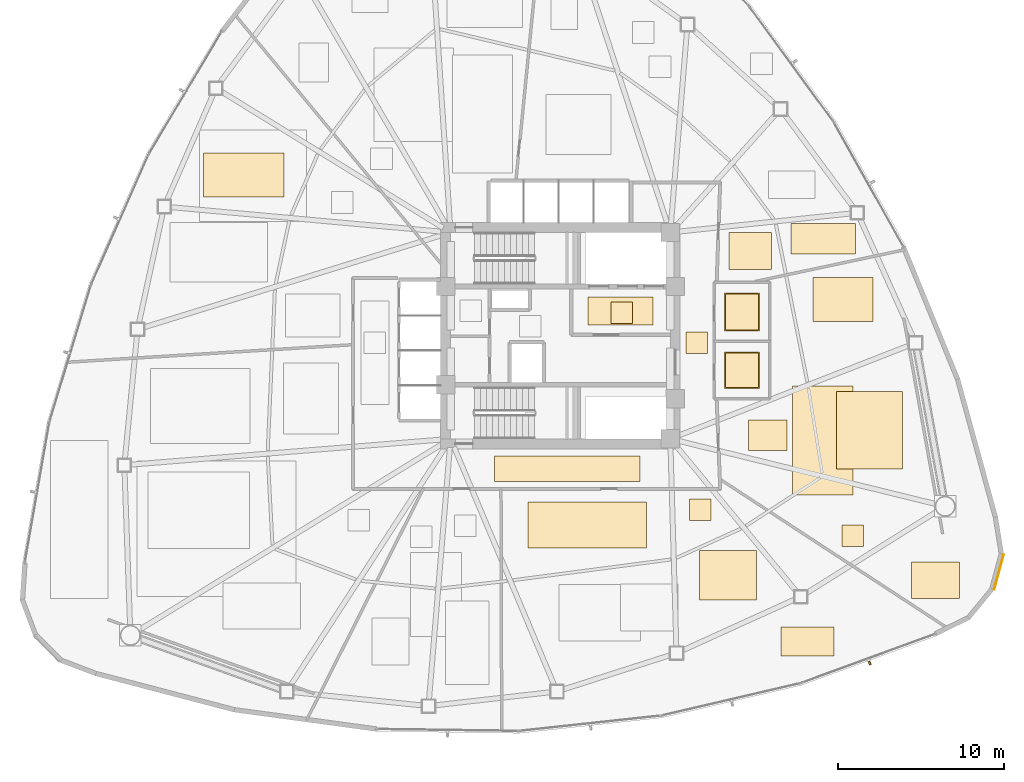
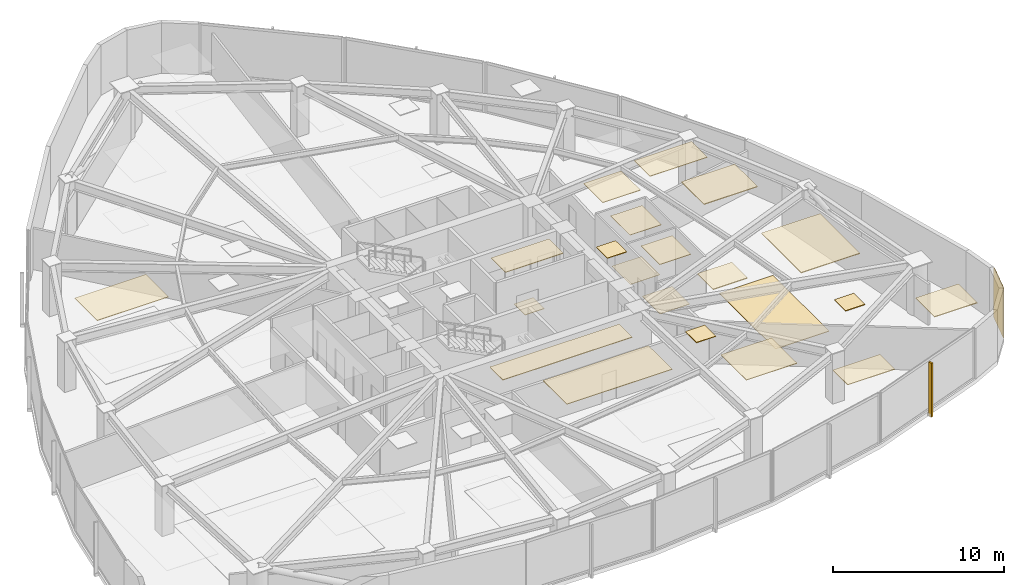
# One storey, part 15 of 16: 22 coverings, 1 shading device.
"""IFC4 building model written with IfcOpenShell, lengths in metres."""

import ifcopenshell
import ifcopenshell.guid

model = None  # the IFC model being written
_history = None  # IfcOwnerHistory: only IFC2X3 demands one
_inside = {}  # id of a spatial element -> (the spatial element, [elements in it])
_under = {}  # id of a project, library or spatial element -> (it, [spatial elements below it])
_declared = {}  # id of a project -> (the project, [libraries it declares])
_typed = {}  # id of a type object -> (the type object, [elements of that type])
_made_of = {}  # id of a material, layer set ... -> (it, [elements and type objects made of it])


def new_model(schema):
    """Start an empty IFC model of exactly this schema.

    Asked for "IFC4X3", IfcOpenShell would pick the latest addendum, in which some entities
    have other attributes; the version numbers below select the first issue.
    IFC2X3 requires an IfcOwnerHistory on every rooted entity: one is made here for all.
    """
    global model, _history
    if schema == "IFC4X3":
        model = ifcopenshell.file(schema_version=(4, 3, 0, 0))
    else:
        model = ifcopenshell.file(schema=schema)
    _inside.clear()
    _under.clear()
    _declared.clear()
    _typed.clear()
    _made_of.clear()
    _history = None
    if model.schema == "IFC2X3":
        org = make("IfcOrganization", Name="unknown")
        user = make(
            "IfcPersonAndOrganization",
            ThePerson=make("IfcPerson", FamilyName="unknown"),
            TheOrganization=org,
        )
        app = make(
            "IfcApplication",
            ApplicationDeveloper=org,
            Version="unknown",
            ApplicationFullName="unknown",
            ApplicationIdentifier="unknown",
        )
        _history = make(
            "IfcOwnerHistory",
            OwningUser=user,
            OwningApplication=app,
            ChangeAction="ADDED",
            CreationDate=0,
        )
    return model


def make(cls, **values):
    """One entity of the class cls with the attributes given. An attribute that is None is left unset."""
    return model.create_entity(
        cls, **{name: value for name, value in values.items() if value is not None}
    )


def rooted(cls, **values):
    """An entity with a GlobalId (a new one), such as an element, a storey or a relation."""
    return make(cls, GlobalId=ifcopenshell.guid.new(), OwnerHistory=_history, **values)


def si_unit(unit_type, name, prefix=None):
    """IfcSIUnit, for example si_unit("LENGTHUNIT", "METRE", prefix="MILLI")."""
    return make("IfcSIUnit", UnitType=unit_type, Prefix=prefix, Name=name)


def assignment(units):
    """IfcUnitAssignment: the units of a project."""
    return None if units is None else make("IfcUnitAssignment", Units=units)


def point(xyz):
    """IfcCartesianPoint."""
    return None if xyz is None else make("IfcCartesianPoint", Coordinates=xyz)


def direction(xyz):
    """IfcDirection."""
    return None if xyz is None else make("IfcDirection", DirectionRatios=xyz)


def frame(location, z_axis=None, x_axis=None):
    """IfcAxis2Placement3D, a coordinate frame: its origin and axes. An axis left out is left unset."""
    return make(
        "IfcAxis2Placement3D",
        Location=point(location),
        Axis=direction(z_axis),
        RefDirection=direction(x_axis),
    )


def frame_2d(location, x_axis=None):
    """IfcAxis2Placement2D, a coordinate frame in the plane: its origin and x axis."""
    return make(
        "IfcAxis2Placement2D", Location=point(location), RefDirection=direction(x_axis)
    )


def origin():
    """The frame at (0, 0, 0) with its axes left unset."""
    return frame((0.0, 0.0, 0.0))


def origin_2d():
    """The frame at (0, 0) in the plane with its x axis left unset."""
    return frame_2d((0.0, 0.0))


def place(relative_to, where):
    """IfcLocalPlacement: puts the frame where relative to a parent placement (None: the world)."""
    return make(
        "IfcLocalPlacement", PlacementRelTo=relative_to, RelativePlacement=where
    )


def context(
    kind, dimensions, precision=None, world=None, true_north=None, identifier=None
):
    """IfcGeometricRepresentationContext, for example the 3D "Model" context."""
    return make(
        "IfcGeometricRepresentationContext",
        ContextIdentifier=identifier,
        ContextType=kind,
        CoordinateSpaceDimension=dimensions,
        Precision=precision,
        WorldCoordinateSystem=world,
        TrueNorth=true_north,
    )


def subcontext(parent, identifier, kind, view, scale=None):
    """IfcGeometricRepresentationSubContext, for example "Body" below "Model"."""
    return make(
        "IfcGeometricRepresentationSubContext",
        ContextIdentifier=identifier,
        ContextType=kind,
        ParentContext=parent,
        TargetScale=scale,
        TargetView=view,
    )


def project(units=None, contexts=None):
    """IfcProject with its units and contexts."""
    return rooted(
        "IfcProject",
        Name="project",
        RepresentationContexts=contexts,
        UnitsInContext=assignment(units),
    )


def spatial(cls, under=None, at=None, **own):
    """A site, building, storey or space (cls), placed at a placement, below another one or the project."""
    s = rooted(cls, ObjectPlacement=at, **own)
    if under is not None:
        _under.setdefault(under.id(), (under, []))[1].append(s)
    return s


def polyline(points):
    """IfcPolyline through the points."""
    return make("IfcPolyline", Points=[point(p) for p in points])


def profile(cls, at=None, kind="AREA", **sizes):
    """A parametric profile (cls). Its sizes go by their IFC names, for example OverallWidth=200.0."""
    return make(cls, ProfileType=kind, Position=at, **sizes)


def rectangle(**sizes):
    """IfcRectangleProfileDef."""
    return profile("IfcRectangleProfileDef", **sizes)


def outline(outer, holes=None, kind="AREA"):
    """IfcArbitraryClosedProfileDef: a profile drawn as a closed curve; with holes, ...WithVoids."""
    if holes is None:
        return make("IfcArbitraryClosedProfileDef", ProfileType=kind, OuterCurve=outer)
    return make(
        "IfcArbitraryProfileDefWithVoids",
        ProfileType=kind,
        OuterCurve=outer,
        InnerCurves=holes,
    )


def extrude(swept, where, along, depth):
    """IfcExtrudedAreaSolid: the profile swept, set in the frame where, extruded along a direction by depth."""
    return make(
        "IfcExtrudedAreaSolid",
        SweptArea=swept,
        Position=where,
        ExtrudedDirection=direction(along),
        Depth=depth,
    )


def shape(context_of_items, identifier, shape_type, items):
    """IfcShapeRepresentation: the items that make up one representation, for example the "Body"."""
    return make(
        "IfcShapeRepresentation",
        ContextOfItems=context_of_items,
        RepresentationIdentifier=identifier,
        RepresentationType=shape_type,
        Items=items,
    )


def source(mapping_origin, context_of_items, identifier, shape_type, items):
    """IfcRepresentationMap: a shape defined once, which mapped items show again and again."""
    return make(
        "IfcRepresentationMap",
        MappingOrigin=mapping_origin,
        MappedRepresentation=shape(context_of_items, identifier, shape_type, items),
    )


def transform(
    local_origin,
    x_axis=None,
    y_axis=None,
    z_axis=None,
    scale=None,
    scale2=None,
    scale3=None,
    uniform=True,
):
    """IfcCartesianTransformationOperator3D, or its non-uniform kind. x_axis, y_axis, z_axis: its Axis1, 2, 3."""
    if uniform:
        return make(
            "IfcCartesianTransformationOperator3D",
            Axis1=direction(x_axis),
            Axis2=direction(y_axis),
            LocalOrigin=point(local_origin),
            Scale=scale,
            Axis3=direction(z_axis),
        )
    return make(
        "IfcCartesianTransformationOperator3DnonUniform",
        Axis1=direction(x_axis),
        Axis2=direction(y_axis),
        LocalOrigin=point(local_origin),
        Scale=scale,
        Axis3=direction(z_axis),
        Scale2=scale2,
        Scale3=scale3,
    )


def mapped(mapping_source, mapping_target):
    """IfcMappedItem: shows the shape of a source again, moved by a transform."""
    return make(
        "IfcMappedItem", MappingSource=mapping_source, MappingTarget=mapping_target
    )


def material(Name=None, Category=None):
    """IfcMaterial."""
    return make("IfcMaterial", Name=Name, Category=Category)


def layer(
    of_material, thickness, ventilated=None, Name=None, Category=None, Priority=None
):
    """IfcMaterialLayer: one layer of a wall or slab, of a material (None: an air gap)."""
    return make(
        "IfcMaterialLayer",
        Material=of_material,
        LayerThickness=thickness,
        IsVentilated=ventilated,
        Name=Name,
        Category=Category,
        Priority=Priority,
    )


def layer_set(layers, Name=None):
    """IfcMaterialLayerSet."""
    return make("IfcMaterialLayerSet", MaterialLayers=layers, LayerSetName=Name)


def made_of(thing, what):
    """Note that an element or type object is made of a material, layer set ...; save() writes the relation."""
    if what is not None:
        _made_of.setdefault(what.id(), (what, []))[1].append(thing)
    return thing


def type_object(cls, material=None, **own):
    """A type object (cls), such as IfcWallType, which elements share."""
    return made_of(rooted(cls, **own), material)


def type_shapes(of_type, sources):
    """Give a type object the sources (RepresentationMaps) that its elements show as mapped items."""
    of_type.RepresentationMaps = sources


def element(
    cls,
    number,
    at=None,
    inside=None,
    cuts=None,
    type_object=None,
    material=None,
    context=None,
    identifier="Body",
    shape_type=None,
    held_by="IfcProductDefinitionShape",
    body=None,
    shapes=None,
    **own,
):
    """One element of the class cls, such as IfcWall. Its Tag is "e" and its number.

    at: its placement. inside: the storey or other place that contains it. cuts: it is an
    opening in that element (IfcRelVoidsElement). A single representation is given by context,
    identifier, shape_type and body (its items); several are given by shapes. held_by: the class
    of the entity that holds the representations. save() writes the other relations.
    """
    e = rooted(cls, Tag="e%d" % number, ObjectPlacement=at, **own)
    if body is not None:
        shapes = [shape(context, identifier, shape_type, body)]
    if shapes is not None:
        e.Representation = make(held_by, Representations=shapes)
    if inside is not None:
        _inside.setdefault(inside.id(), (inside, []))[1].append(e)
    if cuts is not None:
        rooted(
            "IfcRelVoidsElement", RelatingBuildingElement=cuts, RelatedOpeningElement=e
        )
    if type_object is not None:
        _typed.setdefault(type_object.id(), (type_object, []))[1].append(e)
    return made_of(e, material)


def aggregate(whole, parts):
    """IfcRelAggregates: a whole, such as a stair, and the parts it consists of."""
    return rooted("IfcRelAggregates", RelatingObject=whole, RelatedObjects=parts)


def save(model, path):
    """Write the relations noted so far, then the file.

    IfcRelAggregates (storeys below a building ...), IfcRelContainedInSpatialStructure (elements
    in a storey), IfcRelDefinesByType, IfcRelAssociatesMaterial and IfcRelDeclares: one each for
    every whole, place, type object, material and project.
    """
    for whole, parts in _under.values():
        aggregate(whole, parts)
    for where, things in _inside.values():
        rooted(
            "IfcRelContainedInSpatialStructure",
            RelatedElements=things,
            RelatingStructure=where,
        )
    for kind, things in _typed.values():
        rooted("IfcRelDefinesByType", RelatedObjects=things, RelatingType=kind)
    for what, things in _made_of.values():
        rooted("IfcRelAssociatesMaterial", RelatedObjects=things, RelatingMaterial=what)
    for by, libraries in _declared.values():
        rooted("IfcRelDeclares", RelatingContext=by, RelatedDefinitions=libraries)
    model.write(path)


model = new_model("IFC4")

# Units and contexts
model_context = context("Model", 3, precision=1e-05, world=origin(), true_north=direction((0.0, 1.0)))
body_context = subcontext(model_context, "Body", "Model", "MODEL_VIEW")
ifc_project = project(units=[si_unit("LENGTHUNIT", "METRE"), si_unit("AREAUNIT", "SQUARE_METRE"), si_unit("VOLUMEUNIT", "CUBIC_METRE"), si_unit("PLANEANGLEUNIT", "RADIAN"), si_unit("MASSUNIT", "GRAM", prefix="KILO")], contexts=[model_context])

# Site, building, storey
site_placement = place(None, origin())
site = spatial("IfcSite", under=ifc_project, at=site_placement, CompositionType="ELEMENT")
building_placement = place(site_placement, origin())
building = spatial("IfcBuilding", under=site, at=building_placement, Name="Tavelor Broadcast Tower", CompositionType="ELEMENT")
storey_placement = place(building_placement, frame((0.0, 0.0, 35.39990234375)))
storey = spatial("IfcBuildingStorey", under=building, at=storey_placement, Name="L07", CompositionType="ELEMENT", Elevation=35.39990234375)

# Coverings
ifc_material_1 = material(Name="Copper-Bronze Anodized Aluminium", Category="aluminium")
ifc_layer_1 = layer(ifc_material_1, 0.044921875)
ifc_layer_set_1 = layer_set([ifc_layer_1], Name="Copper-Bronze Anodized Aluminium")
covering_type_1 = type_object("IfcCoveringType", Name="Anodised Bronze Linear Slatted Concourse Ceiling 45 mm", PredefinedType="CEILING", material=ifc_layer_set_1)
covering_1_placement = place(storey_placement, frame((0.0, 0.0, 3.55517578125)))
element("IfcCovering", 1, at=covering_1_placement, inside=storey, type_object=covering_type_1, Name="L07 Suspended Acoustic Ceiling 0206", PredefinedType="CEILING", context=body_context, shape_type="SweptSolid", body=[
    extrude(outline(polyline([(51.659912109375, 45.654296875), (55.55712890625, 45.654296875), (55.55712890625, 47.331787109375), (51.659912109375, 47.331787109375), (51.659912109375, 45.654296875)])), origin(), (0.0, 0.0, 1.0), 0.044921875),
])
covering_2_placement = place(storey_placement, frame((0.0, 0.0, 3.55517578125)))
element("IfcCovering", 2, at=covering_2_placement, inside=storey, type_object=covering_type_1, Name="L07 Suspended Acoustic Ceiling 0209", PredefinedType="CEILING", context=body_context, shape_type="SweptSolid", body=[
    extrude(outline(polyline([(57.5400390625, 43.925048828125), (58.840087890625, 43.925048828125), (58.840087890625, 45.22509765625), (57.5400390625, 45.22509765625), (57.5400390625, 43.925048828125)])), origin(), (0.0, 0.0, 1.0), 0.044921875),
])
covering_3_placement = place(storey_placement, frame((0.0, 0.0, 3.55517578125)))
element("IfcCovering", 3, at=covering_3_placement, inside=storey, type_object=covering_type_1, Name="L07 Suspended Acoustic Ceiling 0210", PredefinedType="CEILING", context=body_context, shape_type="SweptSolid", body=[
    extrude(outline(polyline([(46.05078125, 36.23828125), (54.776611328125, 36.23828125), (54.776611328125, 37.76171875), (46.05078125, 37.76171875), (46.05078125, 36.23828125)])), origin(), (0.0, 0.0, 1.0), 0.044921875),
])
ifc_layer_2 = layer(ifc_material_1, 0.050048828125)
ifc_layer_set_2 = layer_set([ifc_layer_2], Name="Copper-Bronze Anodized Aluminium")
covering_type_2 = type_object("IfcCoveringType", Name="Champagne-Bronze Corner Pier Metal Cladding 50 mm", PredefinedType="CLADDING", material=ifc_layer_set_2)
covering_4_placement = place(storey_placement, frame((76.347900390625, 30.7880859375, 0.02001953125), z_axis=(0.0, 0.0, 1.0), x_axis=(0.261346943155, 0.965244930214, 0.0)))
element("IfcCovering", 4, at=covering_4_placement, inside=storey, type_object=covering_type_2, Name="L07 Champagne-Bronze Corner Cladding 23", PredefinedType="CLADDING", context=body_context, shape_type="SweptSolid", body=[
    extrude(rectangle(XDim=2.164306640625, YDim=0.050048828125, at=origin_2d()), origin(), (0.0, 0.0, 1.0), 3.56005859375),
])
ifc_material_2 = material(Name="Honed Natural Limestone Tile", Category="masonry")
ifc_layer_3 = layer(ifc_material_2, 0.030029296875)
ifc_layer_set_3 = layer_set([ifc_layer_3], Name="Honed Natural Limestone Tile")
covering_type_3 = type_object("IfcCoveringType", Name="Honed Jerusalem Limestone Concourse Flooring 30 mm", PredefinedType="FLOORING", material=ifc_layer_set_3)
covering_5_placement = place(storey_placement, origin())
element("IfcCovering", 5, at=covering_5_placement, inside=storey, type_object=covering_type_3, Name="L07 Broadcast Floor Finish 0073", PredefinedType="FLOORING", context=body_context, shape_type="SweptSolid", body=[
    extrude(outline(polyline([(53.030029296875, 45.728515625), (54.330078125, 45.728515625), (54.330078125, 47.028564453125), (53.030029296875, 47.028564453125), (53.030029296875, 45.728515625)])), origin(), (0.0, 0.0, 1.0), 0.030029296875),
])
ifc_material_3 = material(Name="Acoustic Hardwood Studio Flooring", Category="wood")
ifc_layer_4 = layer(ifc_material_3, 0.034912109375)
ifc_layer_set_4 = layer_set([ifc_layer_4], Name="Acoustic Hardwood Studio Flooring")
covering_type_4 = type_object("IfcCoveringType", Name="Isolated Studio Acoustic Elastomeric Floor Finish 35 mm", PredefinedType="FLOORING", material=ifc_layer_set_4)
covering_6_placement = place(storey_placement, origin())
element("IfcCovering", 6, at=covering_6_placement, inside=storey, type_object=covering_type_4, Name="L07 Broadcast Floor Finish 0083", PredefinedType="FLOORING", context=body_context, shape_type="SweptSolid", body=[
    extrude(outline(polyline([(63.959228515625, 35.421875), (67.585205078125, 35.421875), (67.585205078125, 41.975830078125), (63.959228515625, 41.975830078125), (63.959228515625, 35.421875)])), origin(), (0.0, 0.0, 1.0), 0.03515625),
])
ifc_material_4 = material(Name="Acoustic Perforated Timber Baffle", Category="wood")
ifc_layer_5 = layer(ifc_material_4, 0.054931640625)
ifc_layer_set_5 = layer_set([ifc_layer_5], Name="Acoustic Perforated Timber Baffle")
covering_type_5 = type_object("IfcCoveringType", Name="Micro-Perforated Acoustic Baffle Studio Ceiling 55 mm", PredefinedType="CEILING", material=ifc_layer_set_5)
covering_7_placement = place(storey_placement, frame((0.0, 0.0, 3.545166015625)))
element("IfcCovering", 7, at=covering_7_placement, inside=storey, type_object=covering_type_5, Name="L07 Suspended Acoustic Ceiling 0246", PredefinedType="CEILING", context=body_context, shape_type="SweptSolid", body=[
    extrude(outline(polyline([(61.2998046875, 38.08984375), (63.629638671875, 38.08984375), (63.629638671875, 39.935546875), (61.2998046875, 39.935546875), (61.2998046875, 38.08984375)])), origin(), (0.0, 0.0, 1.0), 0.054931640625),
])
covering_8_placement = place(storey_placement, frame((0.0, 0.0, 3.545166015625)))
element("IfcCovering", 8, at=covering_8_placement, inside=storey, type_object=covering_type_5, Name="L07 Suspended Acoustic Ceiling 0247", PredefinedType="CEILING", context=body_context, shape_type="SweptSolid", body=[
    extrude(outline(polyline([(65.165283203125, 45.860107421875), (68.77587890625, 45.860107421875), (68.77587890625, 48.5), (65.165283203125, 48.5), (65.165283203125, 45.860107421875)])), origin(), (0.0, 0.0, 1.0), 0.054931640625),
])
covering_9_placement = place(storey_placement, frame((0.0, 0.0, 3.545166015625)))
element("IfcCovering", 9, at=covering_9_placement, inside=storey, type_object=covering_type_5, Name="L07 Suspended Acoustic Ceiling 0248", PredefinedType="CEILING", context=body_context, shape_type="SweptSolid", body=[
    extrude(outline(polyline([(66.60400390625, 36.98828125), (70.559814453125, 36.98828125), (70.559814453125, 41.643798828125), (66.60400390625, 41.643798828125), (66.60400390625, 36.98828125)])), origin(), (0.0, 0.0, 1.0), 0.054931640625),
])
covering_10_placement = place(storey_placement, frame((0.0, 0.0, 3.545166015625)))
element("IfcCovering", 10, at=covering_10_placement, inside=storey, type_object=covering_type_5, Name="L07 Suspended Acoustic Ceiling 0249", PredefinedType="CEILING", context=body_context, shape_type="SweptSolid", body=[
    extrude(outline(polyline([(66.90625, 32.332275390625), (68.206298828125, 32.332275390625), (68.206298828125, 33.632080078125), (66.90625, 33.632080078125), (66.90625, 32.332275390625)])), origin(), (0.0, 0.0, 1.0), 0.054931640625),
])
covering_11_placement = place(storey_placement, frame((0.0, 0.0, 3.545166015625)))
element("IfcCovering", 11, at=covering_11_placement, inside=storey, type_object=covering_type_5, Name="L07 Suspended Acoustic Ceiling 0250", PredefinedType="CEILING", context=body_context, shape_type="SweptSolid", body=[
    extrude(outline(polyline([(71.10302734375, 29.206298828125), (73.9912109375, 29.206298828125), (73.9912109375, 31.41162109375), (71.10302734375, 31.41162109375), (71.10302734375, 29.206298828125)])), origin(), (0.0, 0.0, 1.0), 0.054931640625),
])
ifc_material_5 = material(Name="Architectural Anodized Aluminium", Category="aluminium")
ifc_layer_6 = layer(ifc_material_5, 0.030029296875)
ifc_layer_set_6 = layer_set([ifc_layer_6], Name="Architectural Anodized Aluminium")
covering_type_6 = type_object("IfcCoveringType", Name="Moisture-Resistant Washroom Ceiling 30 mm", PredefinedType="CEILING", material=ifc_layer_set_6)
covering_12_placement = place(storey_placement, frame((0.0, 0.0, 3.570068359375)))
element("IfcCovering", 12, at=covering_12_placement, inside=storey, type_object=covering_type_6, Name="L07 Suspended Acoustic Ceiling 0212", PredefinedType="CEILING", context=body_context, shape_type="SweptSolid", body=[
    extrude(outline(polyline([(59.85302734375, 41.828369140625), (61.967041015625, 41.828369140625), (61.967041015625, 44.021484375), (59.85302734375, 44.021484375), (59.85302734375, 41.828369140625)])), origin(), (0.0, 0.0, 1.0), 0.030029296875),
])
covering_13_placement = place(storey_placement, frame((0.0, 0.0, 3.570068359375)))
element("IfcCovering", 13, at=covering_13_placement, inside=storey, type_object=covering_type_6, Name="L07 Suspended Acoustic Ceiling 0213", PredefinedType="CEILING", context=body_context, shape_type="SweptSolid", body=[
    extrude(outline(polyline([(59.85302734375, 45.29248046875), (61.967041015625, 45.29248046875), (61.967041015625, 47.5576171875), (59.85302734375, 47.5576171875), (59.85302734375, 45.29248046875)])), origin(), (0.0, 0.0, 1.0), 0.030029296875),
])
ifc_material_6 = material(Name="Slip-Resistant Porcelain Tile")
ifc_layer_7 = layer(ifc_material_6, 0.02490234375)
ifc_layer_set_7 = layer_set([ifc_layer_7], Name="Slip-Resistant Porcelain Tile")
covering_type_7 = type_object("IfcCoveringType", Name="Slip-Resistant Porcelain Wet-Area Floor Tile 25 mm", PredefinedType="FLOORING", material=ifc_layer_set_7)
covering_14_placement = place(storey_placement, origin())
element("IfcCovering", 14, at=covering_14_placement, inside=storey, type_object=covering_type_7, Name="L07 Broadcast Floor Finish 0075", PredefinedType="FLOORING", context=body_context, shape_type="SweptSolid", body=[
    extrude(outline(polyline([(59.91064453125, 41.885986328125), (61.909423828125, 41.885986328125), (61.909423828125, 43.964111328125), (59.91064453125, 43.964111328125), (59.91064453125, 41.885986328125)])), origin(), (0.0, 0.0, 1.0), 0.025146484375),
])
covering_15_placement = place(storey_placement, origin())
element("IfcCovering", 15, at=covering_15_placement, inside=storey, type_object=covering_type_7, Name="L07 Broadcast Floor Finish 0076", PredefinedType="FLOORING", context=body_context, shape_type="SweptSolid", body=[
    extrude(outline(polyline([(59.91064453125, 45.35009765625), (61.909423828125, 45.35009765625), (61.909423828125, 47.5), (59.91064453125, 47.5), (59.91064453125, 45.35009765625)])), origin(), (0.0, 0.0, 1.0), 0.025146484375),
])
ifc_material_7 = material(Name="Acoustic Mineral Fibre Tile")
ifc_layer_8 = layer(ifc_material_7, 0.0400390625)
ifc_layer_set_8 = layer_set([ifc_layer_8], Name="Acoustic Mineral Fibre Tile")
covering_type_8 = type_object("IfcCoveringType", Name="Suspended Acoustic Mineral-Fibre Office Ceiling 40 mm", PredefinedType="CEILING", material=ifc_layer_set_8)
covering_16_placement = place(storey_placement, frame((0.0, 0.0, 3.56005859375)))
element("IfcCovering", 16, at=covering_16_placement, inside=storey, type_object=covering_type_8, Name="L07 Suspended Acoustic Ceiling 0214", PredefinedType="CEILING", context=body_context, shape_type="SweptSolid", body=[
    extrude(outline(polyline([(63.24462890625, 25.745361328125), (66.433837890625, 25.745361328125), (66.433837890625, 27.479736328125), (63.24462890625, 27.479736328125), (63.24462890625, 25.745361328125)])), origin(), (0.0, 0.0, 1.0), 0.0400390625),
])
covering_17_placement = place(storey_placement, frame((0.0, 0.0, 3.56005859375)))
element("IfcCovering", 17, at=covering_17_placement, inside=storey, type_object=covering_type_8, Name="L07 Suspended Acoustic Ceiling 0215", PredefinedType="CEILING", context=body_context, shape_type="SweptSolid", body=[
    extrude(outline(polyline([(48.048095703125, 32.234375), (55.1630859375, 32.234375), (55.1630859375, 35.0126953125), (48.048095703125, 35.0126953125), (48.048095703125, 32.234375)])), origin(), (0.0, 0.0, 1.0), 0.0400390625),
])
covering_18_placement = place(storey_placement, frame((0.0, 0.0, 3.56005859375)))
element("IfcCovering", 18, at=covering_18_placement, inside=storey, type_object=covering_type_8, Name="L07 Suspended Acoustic Ceiling 0216", PredefinedType="CEILING", context=body_context, shape_type="SweptSolid", body=[
    extrude(outline(polyline([(57.7470703125, 33.87890625), (59.047119140625, 33.87890625), (59.047119140625, 35.178955078125), (57.7470703125, 35.178955078125), (57.7470703125, 33.87890625)])), origin(), (0.0, 0.0, 1.0), 0.0400390625),
])
covering_19_placement = place(storey_placement, frame((0.0, 0.0, 3.56005859375)))
element("IfcCovering", 19, at=covering_19_placement, inside=storey, type_object=covering_type_8, Name="L07 Suspended Acoustic Ceiling 0217", PredefinedType="CEILING", context=body_context, shape_type="SweptSolid", body=[
    extrude(outline(polyline([(58.36572265625, 29.121337890625), (61.7841796875, 29.121337890625), (61.7841796875, 32.0966796875), (58.36572265625, 32.0966796875), (58.36572265625, 29.121337890625)])), origin(), (0.0, 0.0, 1.0), 0.0400390625),
])
covering_20_placement = place(storey_placement, frame((0.0, 0.0, 3.56005859375)))
element("IfcCovering", 20, at=covering_20_placement, inside=storey, type_object=covering_type_8, Name="L07 Suspended Acoustic Ceiling 0231", PredefinedType="CEILING", context=body_context, shape_type="SweptSolid", body=[
    extrude(outline(polyline([(28.5634765625, 53.326416015625), (33.379150390625, 53.326416015625), (33.379150390625, 55.96142578125), (28.5634765625, 55.96142578125), (28.5634765625, 53.326416015625)])), origin(), (0.0, 0.0, 1.0), 0.0400390625),
])
covering_21_placement = place(storey_placement, frame((0.0, 0.0, 3.56005859375)))
element("IfcCovering", 21, at=covering_21_placement, inside=storey, type_object=covering_type_8, Name="L07 Suspended Acoustic Ceiling 0242", PredefinedType="CEILING", context=body_context, shape_type="SweptSolid", body=[
    extrude(outline(polyline([(63.85546875, 49.903564453125), (67.724609375, 49.903564453125), (67.724609375, 51.749267578125), (63.85546875, 51.749267578125), (63.85546875, 49.903564453125)])), origin(), (0.0, 0.0, 1.0), 0.0400390625),
])
covering_22_placement = place(storey_placement, frame((0.0, 0.0, 3.56005859375)))
element("IfcCovering", 22, at=covering_22_placement, inside=storey, type_object=covering_type_8, Name="L07 Suspended Acoustic Ceiling 0243", PredefinedType="CEILING", context=body_context, shape_type="SweptSolid", body=[
    extrude(outline(polyline([(60.138671875, 48.9619140625), (62.677490234375, 48.9619140625), (62.677490234375, 51.205322265625), (60.138671875, 51.205322265625), (60.138671875, 48.9619140625)])), origin(), (0.0, 0.0, 1.0), 0.0400390625),
])

# Shading device
ifc_material_8 = material(Name="Kiln-Fired Glazed Terracotta", Category="masonry")
shading_device_type = type_object("IfcShadingDeviceType", Name="Extruded Terracotta Baguette Sun-Screen 110x240", PredefinedType="JALOUSIE", material=ifc_material_8)
shared_shape = source(origin(), body_context, "Body", "SweptSolid", [
    extrude(rectangle(XDim=0.110107421875, YDim=0.239990234375, at=origin_2d()), origin(), (0.0, 0.0, 1.0), 3.840087890625),
])
type_shapes(shading_device_type, [shared_shape])
shading_device_placement = place(storey_placement, frame((68.59033203125, 25.316162109375, -0.259765625), z_axis=(0.0, 0.0, 1.0), x_axis=(0.939214154743, 0.343331867922, 0.0)))
element("IfcShadingDevice", 23, at=shading_device_placement, inside=storey, type_object=shading_device_type, Name="L07 Terracotta Baguette Fin 44", PredefinedType="JALOUSIE", context=body_context, shape_type="MappedRepresentation", body=[
    mapped(shared_shape, transform((0.0, 0.0, 0.0), scale=1.0)),
])

save(model, "model.ifc")
